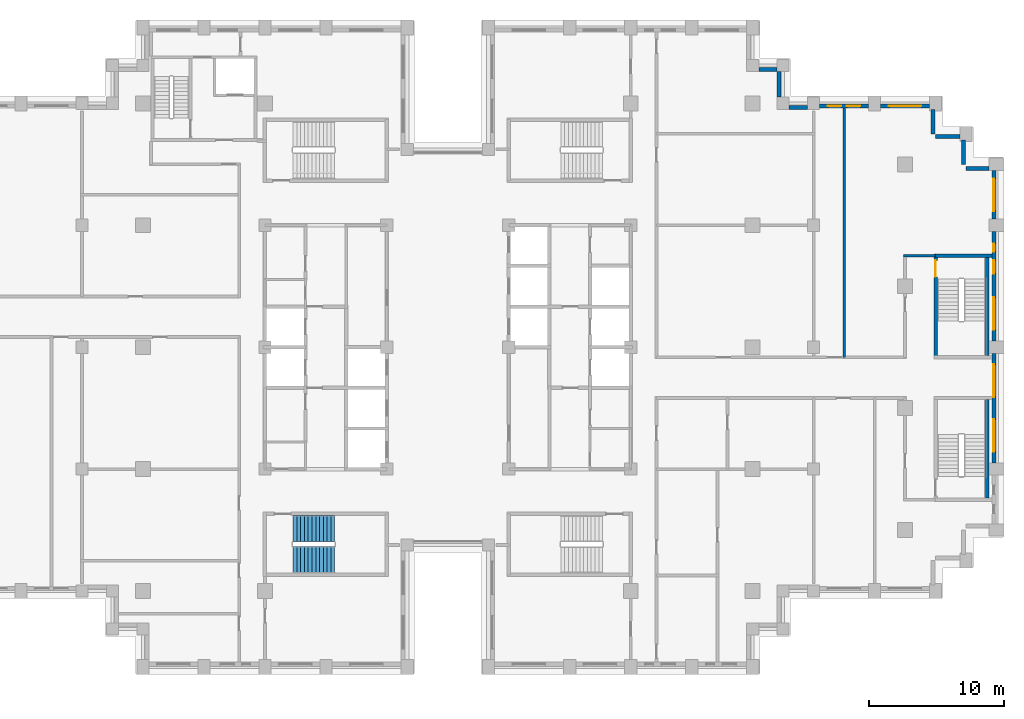
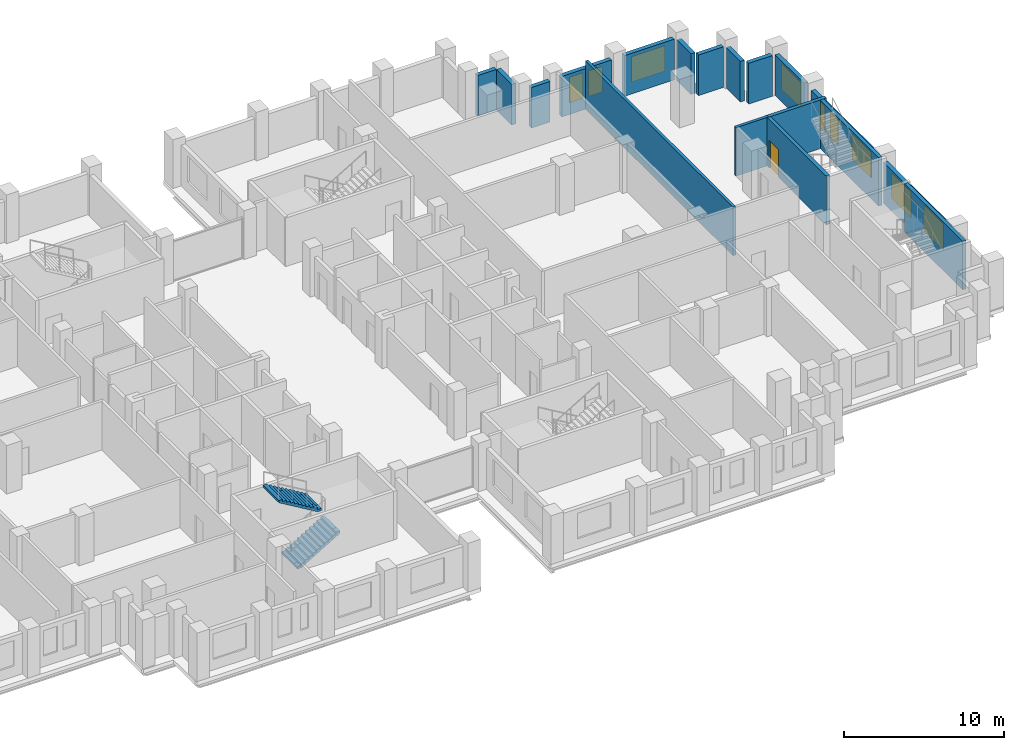
# One storey, part 12 of 15: 18 walls, 9 windows, 2 stair flights, 1 door, 10 openings, 1 element without a shape of its own.
"""IFC4 building model written with IfcOpenShell, lengths in metres."""

import ifcopenshell
import ifcopenshell.guid

model = None  # the IFC model being written
_history = None  # IfcOwnerHistory: only IFC2X3 demands one
_inside = {}  # id of a spatial element -> (the spatial element, [elements in it])
_under = {}  # id of a project, library or spatial element -> (it, [spatial elements below it])
_declared = {}  # id of a project -> (the project, [libraries it declares])
_typed = {}  # id of a type object -> (the type object, [elements of that type])
_made_of = {}  # id of a material, layer set ... -> (it, [elements and type objects made of it])


def new_model(schema):
    """Start an empty IFC model of exactly this schema.

    Asked for "IFC4X3", IfcOpenShell would pick the latest addendum, in which some entities
    have other attributes; the version numbers below select the first issue.
    IFC2X3 requires an IfcOwnerHistory on every rooted entity: one is made here for all.
    """
    global model, _history
    if schema == "IFC4X3":
        model = ifcopenshell.file(schema_version=(4, 3, 0, 0))
    else:
        model = ifcopenshell.file(schema=schema)
    _inside.clear()
    _under.clear()
    _declared.clear()
    _typed.clear()
    _made_of.clear()
    _history = None
    if model.schema == "IFC2X3":
        org = make("IfcOrganization", Name="unknown")
        user = make(
            "IfcPersonAndOrganization",
            ThePerson=make("IfcPerson", FamilyName="unknown"),
            TheOrganization=org,
        )
        app = make(
            "IfcApplication",
            ApplicationDeveloper=org,
            Version="unknown",
            ApplicationFullName="unknown",
            ApplicationIdentifier="unknown",
        )
        _history = make(
            "IfcOwnerHistory",
            OwningUser=user,
            OwningApplication=app,
            ChangeAction="ADDED",
            CreationDate=0,
        )
    return model


def make(cls, **values):
    """One entity of the class cls with the attributes given. An attribute that is None is left unset."""
    return model.create_entity(
        cls, **{name: value for name, value in values.items() if value is not None}
    )


def rooted(cls, **values):
    """An entity with a GlobalId (a new one), such as an element, a storey or a relation."""
    return make(cls, GlobalId=ifcopenshell.guid.new(), OwnerHistory=_history, **values)


def si_unit(unit_type, name, prefix=None):
    """IfcSIUnit, for example si_unit("LENGTHUNIT", "METRE", prefix="MILLI")."""
    return make("IfcSIUnit", UnitType=unit_type, Prefix=prefix, Name=name)


def assignment(units):
    """IfcUnitAssignment: the units of a project."""
    return None if units is None else make("IfcUnitAssignment", Units=units)


def point(xyz):
    """IfcCartesianPoint."""
    return None if xyz is None else make("IfcCartesianPoint", Coordinates=xyz)


def direction(xyz):
    """IfcDirection."""
    return None if xyz is None else make("IfcDirection", DirectionRatios=xyz)


def frame(location, z_axis=None, x_axis=None):
    """IfcAxis2Placement3D, a coordinate frame: its origin and axes. An axis left out is left unset."""
    return make(
        "IfcAxis2Placement3D",
        Location=point(location),
        Axis=direction(z_axis),
        RefDirection=direction(x_axis),
    )


def frame_2d(location, x_axis=None):
    """IfcAxis2Placement2D, a coordinate frame in the plane: its origin and x axis."""
    return make(
        "IfcAxis2Placement2D", Location=point(location), RefDirection=direction(x_axis)
    )


def origin():
    """The frame at (0, 0, 0) with its axes left unset."""
    return frame((0.0, 0.0, 0.0))


def place(relative_to, where):
    """IfcLocalPlacement: puts the frame where relative to a parent placement (None: the world)."""
    return make(
        "IfcLocalPlacement", PlacementRelTo=relative_to, RelativePlacement=where
    )


def context(
    kind, dimensions, precision=None, world=None, true_north=None, identifier=None
):
    """IfcGeometricRepresentationContext, for example the 3D "Model" context."""
    return make(
        "IfcGeometricRepresentationContext",
        ContextIdentifier=identifier,
        ContextType=kind,
        CoordinateSpaceDimension=dimensions,
        Precision=precision,
        WorldCoordinateSystem=world,
        TrueNorth=true_north,
    )


def subcontext(parent, identifier, kind, view, scale=None):
    """IfcGeometricRepresentationSubContext, for example "Body" below "Model"."""
    return make(
        "IfcGeometricRepresentationSubContext",
        ContextIdentifier=identifier,
        ContextType=kind,
        ParentContext=parent,
        TargetScale=scale,
        TargetView=view,
    )


def project(units=None, contexts=None):
    """IfcProject with its units and contexts."""
    return rooted(
        "IfcProject",
        Name="project",
        RepresentationContexts=contexts,
        UnitsInContext=assignment(units),
    )


def spatial(cls, under=None, at=None, **own):
    """A site, building, storey or space (cls), placed at a placement, below another one or the project."""
    s = rooted(cls, ObjectPlacement=at, **own)
    if under is not None:
        _under.setdefault(under.id(), (under, []))[1].append(s)
    return s


def polyline(points):
    """IfcPolyline through the points."""
    return make("IfcPolyline", Points=[point(p) for p in points])


def profile(cls, at=None, kind="AREA", **sizes):
    """A parametric profile (cls). Its sizes go by their IFC names, for example OverallWidth=200.0."""
    return make(cls, ProfileType=kind, Position=at, **sizes)


def rectangle(**sizes):
    """IfcRectangleProfileDef."""
    return profile("IfcRectangleProfileDef", **sizes)


def outline(outer, holes=None, kind="AREA"):
    """IfcArbitraryClosedProfileDef: a profile drawn as a closed curve; with holes, ...WithVoids."""
    if holes is None:
        return make("IfcArbitraryClosedProfileDef", ProfileType=kind, OuterCurve=outer)
    return make(
        "IfcArbitraryProfileDefWithVoids",
        ProfileType=kind,
        OuterCurve=outer,
        InnerCurves=holes,
    )


def extrude(swept, where, along, depth):
    """IfcExtrudedAreaSolid: the profile swept, set in the frame where, extruded along a direction by depth."""
    return make(
        "IfcExtrudedAreaSolid",
        SweptArea=swept,
        Position=where,
        ExtrudedDirection=direction(along),
        Depth=depth,
    )


def shape(context_of_items, identifier, shape_type, items):
    """IfcShapeRepresentation: the items that make up one representation, for example the "Body"."""
    return make(
        "IfcShapeRepresentation",
        ContextOfItems=context_of_items,
        RepresentationIdentifier=identifier,
        RepresentationType=shape_type,
        Items=items,
    )


def material(Name=None, Category=None):
    """IfcMaterial."""
    return make("IfcMaterial", Name=Name, Category=Category)


def layer(
    of_material, thickness, ventilated=None, Name=None, Category=None, Priority=None
):
    """IfcMaterialLayer: one layer of a wall or slab, of a material (None: an air gap)."""
    return make(
        "IfcMaterialLayer",
        Material=of_material,
        LayerThickness=thickness,
        IsVentilated=ventilated,
        Name=Name,
        Category=Category,
        Priority=Priority,
    )


def layer_set(layers, Name=None):
    """IfcMaterialLayerSet."""
    return make("IfcMaterialLayerSet", MaterialLayers=layers, LayerSetName=Name)


def made_of(thing, what):
    """Note that an element or type object is made of a material, layer set ...; save() writes the relation."""
    if what is not None:
        _made_of.setdefault(what.id(), (what, []))[1].append(thing)
    return thing


def type_object(cls, material=None, **own):
    """A type object (cls), such as IfcWallType, which elements share."""
    return made_of(rooted(cls, **own), material)


def element(
    cls,
    number,
    at=None,
    inside=None,
    cuts=None,
    type_object=None,
    material=None,
    context=None,
    identifier="Body",
    shape_type=None,
    held_by="IfcProductDefinitionShape",
    body=None,
    shapes=None,
    **own,
):
    """One element of the class cls, such as IfcWall. Its Tag is "e" and its number.

    at: its placement. inside: the storey or other place that contains it. cuts: it is an
    opening in that element (IfcRelVoidsElement). A single representation is given by context,
    identifier, shape_type and body (its items); several are given by shapes. held_by: the class
    of the entity that holds the representations. save() writes the other relations.
    """
    e = rooted(cls, Tag="e%d" % number, ObjectPlacement=at, **own)
    if body is not None:
        shapes = [shape(context, identifier, shape_type, body)]
    if shapes is not None:
        e.Representation = make(held_by, Representations=shapes)
    if inside is not None:
        _inside.setdefault(inside.id(), (inside, []))[1].append(e)
    if cuts is not None:
        rooted(
            "IfcRelVoidsElement", RelatingBuildingElement=cuts, RelatedOpeningElement=e
        )
    if type_object is not None:
        _typed.setdefault(type_object.id(), (type_object, []))[1].append(e)
    return made_of(e, material)


def fill(opening, filler):
    """IfcRelFillsElement: the door or window that sits in an opening."""
    return rooted(
        "IfcRelFillsElement",
        RelatingOpeningElement=opening,
        RelatedBuildingElement=filler,
    )


def aggregate(whole, parts):
    """IfcRelAggregates: a whole, such as a stair, and the parts it consists of."""
    return rooted("IfcRelAggregates", RelatingObject=whole, RelatedObjects=parts)


def save(model, path):
    """Write the relations noted so far, then the file.

    IfcRelAggregates (storeys below a building ...), IfcRelContainedInSpatialStructure (elements
    in a storey), IfcRelDefinesByType, IfcRelAssociatesMaterial and IfcRelDeclares: one each for
    every whole, place, type object, material and project.
    """
    for whole, parts in _under.values():
        aggregate(whole, parts)
    for where, things in _inside.values():
        rooted(
            "IfcRelContainedInSpatialStructure",
            RelatedElements=things,
            RelatingStructure=where,
        )
    for kind, things in _typed.values():
        rooted("IfcRelDefinesByType", RelatedObjects=things, RelatingType=kind)
    for what, things in _made_of.values():
        rooted("IfcRelAssociatesMaterial", RelatedObjects=things, RelatingMaterial=what)
    for by, libraries in _declared.values():
        rooted("IfcRelDeclares", RelatingContext=by, RelatedDefinitions=libraries)
    model.write(path)


model = new_model("IFC4")

# Units and contexts
model_context = context("Model", 3, precision=1e-05, world=origin(), true_north=direction((0.0, 1.0)))
body_context = subcontext(model_context, "Body", "Model", "MODEL_VIEW")
ifc_project = project(units=[si_unit("LENGTHUNIT", "METRE"), si_unit("AREAUNIT", "SQUARE_METRE"), si_unit("VOLUMEUNIT", "CUBIC_METRE"), si_unit("PLANEANGLEUNIT", "RADIAN"), si_unit("MASSUNIT", "GRAM", prefix="KILO")], contexts=[model_context])

# Site, building, storey
site_placement = place(None, origin())
site = spatial("IfcSite", under=ifc_project, at=site_placement, CompositionType="ELEMENT")
building_placement = place(site_placement, origin())
building = spatial("IfcBuilding", under=site, at=building_placement, Name="Corbelhall Arena Tower", CompositionType="ELEMENT")
storey_placement = place(building_placement, frame((0.0, 0.0, 146.0)))
storey = spatial("IfcBuildingStorey", under=building, at=storey_placement, Name="L28", CompositionType="ELEMENT", Elevation=146.0)

# Walls
ifc_material_1 = material(Name="Precast concrete C40/50 with granite facing", Category="masonry")
ifc_layer_1 = layer(ifc_material_1, 0.300048828125)
ifc_layer_set_1 = layer_set([ifc_layer_1], Name="EV-IW1 Infill panel 300")
wall_type_1 = type_object("IfcWallType", Name="EV-IW1 Infill panel 300", PredefinedType="SOLIDWALL", material=ifc_layer_set_1)
wall_1_placement = place(storey_placement, frame((39.949951171875, 13.199951171875, 0.0), z_axis=(0.0, 0.0, 1.0), x_axis=(-1.0, 0.0, 0.0)))
element("IfcWall", 1, at=wall_1_placement, inside=storey, type_object=wall_type_1, Name="Infill panel IW1", PredefinedType="SOLIDWALL", context=body_context, shape_type="SweptSolid", body=[
    extrude(rectangle(XDim=1.699951171875, YDim=0.300048828125, at=frame_2d((0.85009765625, 0.0))), origin(), (0.0, 0.0, 1.0), 3.10009765625),
])
for number, where, z_axis, x_axis, name in (
    (2, (38.050048828125, 15.300048828125, 0.0), (0.0, 0.0, 1.0), (0.0, -1.0, 0.0), "Infill panel IW1"),
    (3, (37.800048828125, 15.550048828125, 0.0), (0.0, 0.0, 1.0), (-1.0, 0.0, 0.0), "Infill panel IW1"),
    (4, (35.800048828125, 17.550048828125, 0.0), (0.0, 0.0, 1.0), (0.0, -1.0, 0.0), "Infill panel IW1"),
):
    element("IfcWall", number, at=place(storey_placement, frame(where, z_axis=z_axis, x_axis=x_axis)), inside=storey, type_object=wall_type_1, Name=name, PredefinedType="SOLIDWALL", context=body_context, shape_type="SweptSolid", body=[
        extrude(rectangle(XDim=1.800048828125, YDim=0.300048828125, at=frame_2d((0.89990234375, 0.0))), origin(), (0.0, 0.0, 1.0), 3.10009765625),
    ])

# Wall, openings, windows
wall_2_placement = place(storey_placement, frame((40.300048828125, -8.550048828125, 0.0), z_axis=(0.0, 0.0, 1.0), x_axis=(0.0, 1.0, 0.0)))
wall_2 = element("IfcWall", 5, at=wall_2_placement, inside=storey, type_object=wall_type_1, Name="Infill panel IW1", PredefinedType="SOLIDWALL", context=body_context, shape_type="SweptSolid", body=[
    extrude(rectangle(XDim=8.10009765625, YDim=0.300048828125, at=frame_2d((4.050048828125, 0.0))), origin(), (0.0, 0.0, 1.0), 3.10009765625),
])
opening_1_placement = place(wall_2_placement, frame((0.824951171875, 0.0, 0.800048828125)))
opening_1 = element("IfcOpeningElement", 6, at=opening_1_placement, cuts=wall_2, Name="Opening WN1", PredefinedType="OPENING", context=body_context, shape_type="SweptSolid", body=[
    extrude(rectangle(XDim=2.39990234375, YDim=1.949951171875, at=frame_2d((1.199951171875, 0.97509765625))), frame((0.0, 0.14990234375, 0.0), z_axis=(0.0, -1.0, 0.0), x_axis=(1.0, 0.0, 0.0)), (0.0, 0.0, 1.0), 0.300048828125),
])
opening_2_placement = place(wall_2_placement, frame((4.875, 0.0, 0.800048828125)))
opening_2 = element("IfcOpeningElement", 7, at=opening_2_placement, cuts=wall_2, Name="Opening WN1", PredefinedType="OPENING", context=body_context, shape_type="SweptSolid", body=[
    extrude(rectangle(XDim=2.39990234375, YDim=1.949951171875, at=frame_2d((1.199951171875, 0.97509765625))), frame((0.0, 0.14990234375, 0.0), z_axis=(0.0, -1.0, 0.0), x_axis=(1.0, 0.0, 0.0)), (0.0, 0.0, 1.0), 0.300048828125),
])
ifc_material_2 = material(Name="Aluminium black anodised", Category="aluminium")
window_type_1 = type_object("IfcWindowType", Name="EV-WN1 Office window", PartitioningType="SINGLE_PANEL", PredefinedType="WINDOW", material=ifc_material_2)
window_1_placement = place(opening_1_placement, origin())
window_1 = element("IfcWindow", 8, at=window_1_placement, inside=storey, type_object=window_type_1, Name="Window WN1", OverallHeight=1.949951171875, OverallWidth=2.39990234375, PartitioningType="SINGLE_PANEL", PredefinedType="WINDOW", context=body_context, shape_type="SweptSolid", body=[
    extrude(rectangle(XDim=2.39990234375, YDim=1.949951171875, at=frame_2d((1.199951171875, 0.97509765625))), frame((0.0, 0.030029296875, 0.0), z_axis=(0.0, -1.0, 0.0), x_axis=(1.0, 0.0, 0.0)), (0.0, 0.0, 1.0), 0.06005859375),
])
fill(opening_1, window_1)
window_2_placement = place(opening_2_placement, origin())
window_2 = element("IfcWindow", 9, at=window_2_placement, inside=storey, type_object=window_type_1, Name="Window WN1", OverallHeight=1.949951171875, OverallWidth=2.39990234375, PartitioningType="SINGLE_PANEL", PredefinedType="WINDOW", context=body_context, shape_type="SweptSolid", body=[
    extrude(rectangle(XDim=2.39990234375, YDim=1.949951171875, at=frame_2d((1.199951171875, 0.97509765625))), frame((0.0, 0.030029296875, 0.0), z_axis=(0.0, -1.0, 0.0), x_axis=(1.0, 0.0, 0.0)), (0.0, 0.0, 1.0), 0.06005859375),
])
fill(opening_2, window_2)

wall_3_placement = place(storey_placement, frame((40.300048828125, 0.449951171875, 0.0), z_axis=(0.0, 0.0, 1.0), x_axis=(0.0, 1.0, 0.0)))
wall_3 = element("IfcWall", 10, at=wall_3_placement, inside=storey, type_object=wall_type_1, Name="Infill panel IW1", PredefinedType="SOLIDWALL", context=body_context, shape_type="SweptSolid", body=[
    extrude(rectangle(XDim=8.10009765625, YDim=0.300048828125, at=frame_2d((4.050048828125, 0.0))), origin(), (0.0, 0.0, 1.0), 3.10009765625),
])
opening_3_placement = place(wall_3_placement, frame((0.824951171875, 0.0, 0.800048828125)))
opening_3 = element("IfcOpeningElement", 11, at=opening_3_placement, cuts=wall_3, Name="Opening WN1", PredefinedType="OPENING", context=body_context, shape_type="SweptSolid", body=[
    extrude(rectangle(XDim=2.39990234375, YDim=1.949951171875, at=frame_2d((1.199951171875, 0.97509765625))), frame((0.0, 0.14990234375, 0.0), z_axis=(0.0, -1.0, 0.0), x_axis=(1.0, 0.0, 0.0)), (0.0, 0.0, 1.0), 0.300048828125),
])
opening_4_placement = place(wall_3_placement, frame((4.97509765625, 0.0, 0.800048828125)))
opening_4 = element("IfcOpeningElement", 12, at=opening_4_placement, cuts=wall_3, Name="Opening WN6", PredefinedType="OPENING", context=body_context, shape_type="SweptSolid", body=[
    extrude(rectangle(XDim=1.0, YDim=1.949951171875, at=frame_2d((0.5, 0.97509765625))), frame((0.0, 0.14990234375, 0.0), z_axis=(0.0, -1.0, 0.0), x_axis=(1.0, 0.0, 0.0)), (0.0, 0.0, 1.0), 0.300048828125),
])
opening_5_placement = place(wall_3_placement, frame((6.60009765625, 0.0, 0.800048828125)))
opening_5 = element("IfcOpeningElement", 13, at=opening_5_placement, cuts=wall_3, Name="Opening WN5", PredefinedType="OPENING", context=body_context, shape_type="SweptSolid", body=[
    extrude(rectangle(XDim=0.60009765625, YDim=1.949951171875, at=frame_2d((0.300048828125, 0.97509765625))), frame((0.0, 0.14990234375, 0.0), z_axis=(0.0, -1.0, 0.0), x_axis=(1.0, 0.0, 0.0)), (0.0, 0.0, 1.0), 0.300048828125),
])
window_3_placement = place(opening_3_placement, origin())
window_3 = element("IfcWindow", 14, at=window_3_placement, inside=storey, type_object=window_type_1, Name="Window WN1", OverallHeight=1.949951171875, OverallWidth=2.39990234375, PartitioningType="SINGLE_PANEL", PredefinedType="WINDOW", context=body_context, shape_type="SweptSolid", body=[
    extrude(rectangle(XDim=2.39990234375, YDim=1.949951171875, at=frame_2d((1.199951171875, 0.97509765625))), frame((0.0, 0.030029296875, 0.0), z_axis=(0.0, -1.0, 0.0), x_axis=(1.0, 0.0, 0.0)), (0.0, 0.0, 1.0), 0.06005859375),
])
fill(opening_3, window_3)
window_type_2 = type_object("IfcWindowType", Name="EV-WN5 Office window 600", PartitioningType="SINGLE_PANEL", PredefinedType="WINDOW", material=ifc_material_2)
window_4_placement = place(opening_5_placement, origin())
window_4 = element("IfcWindow", 15, at=window_4_placement, inside=storey, type_object=window_type_2, Name="Window WN5", OverallHeight=1.949951171875, OverallWidth=0.60009765625, PartitioningType="SINGLE_PANEL", PredefinedType="WINDOW", context=body_context, shape_type="SweptSolid", body=[
    extrude(rectangle(XDim=0.60009765625, YDim=1.949951171875, at=frame_2d((0.300048828125, 0.97509765625))), frame((0.0, 0.030029296875, 0.0), z_axis=(0.0, -1.0, 0.0), x_axis=(1.0, 0.0, 0.0)), (0.0, 0.0, 1.0), 0.06005859375),
])
fill(opening_5, window_4)
window_type_3 = type_object("IfcWindowType", Name="EV-WN6 Office window 1000", PartitioningType="SINGLE_PANEL", PredefinedType="WINDOW", material=ifc_material_2)
window_5_placement = place(opening_4_placement, origin())
window_5 = element("IfcWindow", 16, at=window_5_placement, inside=storey, type_object=window_type_3, Name="Window WN6", OverallHeight=1.949951171875, OverallWidth=1.0, PartitioningType="SINGLE_PANEL", PredefinedType="WINDOW", context=body_context, shape_type="SweptSolid", body=[
    extrude(rectangle(XDim=1.0, YDim=1.949951171875, at=frame_2d((0.5, 0.97509765625))), frame((0.0, 0.030029296875, 0.0), z_axis=(0.0, -1.0, 0.0), x_axis=(1.0, 0.0, 0.0)), (0.0, 0.0, 1.0), 0.06005859375),
])
fill(opening_4, window_5)

# Wall, opening, window
wall_4_placement = place(storey_placement, frame((40.300048828125, 9.449951171875, 0.0), z_axis=(0.0, 0.0, 1.0), x_axis=(0.0, 1.0, 0.0)))
wall_4 = element("IfcWall", 17, at=wall_4_placement, inside=storey, type_object=wall_type_1, Name="Infill panel IW1", PredefinedType="SOLIDWALL", context=body_context, shape_type="SweptSolid", body=[
    extrude(rectangle(XDim=3.60009765625, YDim=0.300048828125, at=frame_2d((1.800048828125, 0.0))), origin(), (0.0, 0.0, 1.0), 3.10009765625),
])
opening_6_placement = place(wall_4_placement, frame((0.60009765625, 0.0, 0.800048828125)))
opening_6 = element("IfcOpeningElement", 18, at=opening_6_placement, cuts=wall_4, Name="Opening WN1", PredefinedType="OPENING", context=body_context, shape_type="SweptSolid", body=[
    extrude(rectangle(XDim=2.39990234375, YDim=1.949951171875, at=frame_2d((1.199951171875, 0.97509765625))), frame((0.0, 0.14990234375, 0.0), z_axis=(0.0, -1.0, 0.0), x_axis=(1.0, 0.0, 0.0)), (0.0, 0.0, 1.0), 0.300048828125),
])
window_6_placement = place(opening_6_placement, origin())
window_6 = element("IfcWindow", 19, at=window_6_placement, inside=storey, type_object=window_type_1, Name="Window WN1", OverallHeight=1.949951171875, OverallWidth=2.39990234375, PartitioningType="SINGLE_PANEL", PredefinedType="WINDOW", context=body_context, shape_type="SweptSolid", body=[
    extrude(rectangle(XDim=2.39990234375, YDim=1.949951171875, at=frame_2d((1.199951171875, 0.97509765625))), frame((0.0, 0.030029296875, 0.0), z_axis=(0.0, -1.0, 0.0), x_axis=(1.0, 0.0, 0.0)), (0.0, 0.0, 1.0), 0.06005859375),
])
fill(opening_6, window_6)

wall_5_placement = place(storey_placement, frame((35.550048828125, 17.800048828125, 0.0), z_axis=(0.0, 0.0, 1.0), x_axis=(-1.0, 0.0, 0.0)))
wall_5 = element("IfcWall", 20, at=wall_5_placement, inside=storey, type_object=wall_type_1, Name="Infill panel IW1", PredefinedType="SOLIDWALL", context=body_context, shape_type="SweptSolid", body=[
    extrude(rectangle(XDim=3.60009765625, YDim=0.300048828125, at=frame_2d((1.800048828125, 0.0))), origin(), (0.0, 0.0, 1.0), 3.10009765625),
])
opening_7_placement = place(wall_5_placement, frame((0.60009765625, 0.0, 0.800048828125)))
opening_7 = element("IfcOpeningElement", 21, at=opening_7_placement, cuts=wall_5, Name="Opening WN1", PredefinedType="OPENING", context=body_context, shape_type="SweptSolid", body=[
    extrude(rectangle(XDim=2.39990234375, YDim=1.949951171875, at=frame_2d((1.199951171875, 0.97509765625))), frame((0.0, 0.14990234375, 0.0), z_axis=(0.0, -1.0, 0.0), x_axis=(1.0, 0.0, 0.0)), (0.0, 0.0, 1.0), 0.300048828125),
])
window_7_placement = place(opening_7_placement, origin())
window_7 = element("IfcWindow", 22, at=window_7_placement, inside=storey, type_object=window_type_1, Name="Window WN1", OverallHeight=1.949951171875, OverallWidth=2.39990234375, PartitioningType="SINGLE_PANEL", PredefinedType="WINDOW", context=body_context, shape_type="SweptSolid", body=[
    extrude(rectangle(XDim=2.39990234375, YDim=1.949951171875, at=frame_2d((1.199951171875, 0.97509765625))), frame((0.0, 0.030029296875, 0.0), z_axis=(0.0, -1.0, 0.0), x_axis=(1.0, 0.0, 0.0)), (0.0, 0.0, 1.0), 0.06005859375),
])
fill(opening_7, window_7)

# Wall, openings, windows
wall_6_placement = place(storey_placement, frame((31.050048828125, 17.800048828125, 0.0), z_axis=(0.0, 0.0, 1.0), x_axis=(-1.0, 0.0, 0.0)))
wall_6 = element("IfcWall", 23, at=wall_6_placement, inside=storey, type_object=wall_type_1, Name="Infill panel IW1", PredefinedType="SOLIDWALL", context=body_context, shape_type="SweptSolid", body=[
    extrude(rectangle(XDim=3.60009765625, YDim=0.300048828125, at=frame_2d((1.800048828125, 0.0))), origin(), (0.0, 0.0, 1.0), 3.10009765625),
])
opening_8_placement = place(wall_6_placement, frame((0.60009765625, 0.0, 0.800048828125)))
opening_8 = element("IfcOpeningElement", 24, at=opening_8_placement, cuts=wall_6, Name="Opening WN6", PredefinedType="OPENING", context=body_context, shape_type="SweptSolid", body=[
    extrude(rectangle(XDim=1.0, YDim=1.949951171875, at=frame_2d((0.5, 0.97509765625))), frame((0.0, 0.14990234375, 0.0), z_axis=(0.0, -1.0, 0.0), x_axis=(1.0, 0.0, 0.0)), (0.0, 0.0, 1.0), 0.300048828125),
])
opening_9_placement = place(wall_6_placement, frame((2.0, 0.0, 0.800048828125)))
opening_9 = element("IfcOpeningElement", 25, at=opening_9_placement, cuts=wall_6, Name="Opening WN6", PredefinedType="OPENING", context=body_context, shape_type="SweptSolid", body=[
    extrude(rectangle(XDim=1.0, YDim=1.949951171875, at=frame_2d((0.5, 0.97509765625))), frame((0.0, 0.14990234375, 0.0), z_axis=(0.0, -1.0, 0.0), x_axis=(1.0, 0.0, 0.0)), (0.0, 0.0, 1.0), 0.300048828125),
])
window_8_placement = place(opening_8_placement, origin())
window_8 = element("IfcWindow", 26, at=window_8_placement, inside=storey, type_object=window_type_3, Name="Window WN6", OverallHeight=1.949951171875, OverallWidth=1.0, PartitioningType="SINGLE_PANEL", PredefinedType="WINDOW", context=body_context, shape_type="SweptSolid", body=[
    extrude(rectangle(XDim=1.0, YDim=1.949951171875, at=frame_2d((0.5, 0.97509765625))), frame((0.0, 0.030029296875, 0.0), z_axis=(0.0, -1.0, 0.0), x_axis=(1.0, 0.0, 0.0)), (0.0, 0.0, 1.0), 0.06005859375),
])
fill(opening_8, window_8)
window_9_placement = place(opening_9_placement, origin())
window_9 = element("IfcWindow", 27, at=window_9_placement, inside=storey, type_object=window_type_3, Name="Window WN6", OverallHeight=1.949951171875, OverallWidth=1.0, PartitioningType="SINGLE_PANEL", PredefinedType="WINDOW", context=body_context, shape_type="SweptSolid", body=[
    extrude(rectangle(XDim=1.0, YDim=1.949951171875, at=frame_2d((0.5, 0.97509765625))), frame((0.0, 0.030029296875, 0.0), z_axis=(0.0, -1.0, 0.0), x_axis=(1.0, 0.0, 0.0)), (0.0, 0.0, 1.0), 0.06005859375),
])
fill(opening_9, window_9)

# Walls
wall_7_placement = place(storey_placement, frame((26.550048828125, 17.699951171875, 0.0), z_axis=(0.0, 0.0, 1.0), x_axis=(-1.0, 0.0, 0.0)))
element("IfcWall", 28, at=wall_7_placement, inside=storey, type_object=wall_type_1, Name="Infill panel IW1", PredefinedType="SOLIDWALL", context=body_context, shape_type="SweptSolid", body=[
    extrude(rectangle(XDim=1.35009765625, YDim=0.300048828125, at=frame_2d((0.675048828125, 0.0))), origin(), (0.0, 0.0, 1.0), 3.10009765625),
])
wall_8_placement = place(storey_placement, frame((24.449951171875, 18.449951171875, 0.0), z_axis=(0.0, 0.0, 1.0), x_axis=(0.0, 1.0, 0.0)))
element("IfcWall", 29, at=wall_8_placement, inside=storey, type_object=wall_type_1, Name="Infill panel IW1", PredefinedType="SOLIDWALL", context=body_context, shape_type="SweptSolid", body=[
    extrude(rectangle(XDim=1.900146484375, YDim=0.300048828125, at=frame_2d((0.9501953125, 0.0))), origin(), (0.0, 0.0, 1.0), 3.10009765625),
])
wall_9_placement = place(storey_placement, frame((24.300048828125, 20.5, 0.0), z_axis=(0.0, 0.0, 1.0), x_axis=(-1.0, 0.0, 0.0)))
element("IfcWall", 30, at=wall_9_placement, inside=storey, type_object=wall_type_1, Name="Infill panel IW1", PredefinedType="SOLIDWALL", context=body_context, shape_type="SweptSolid", body=[
    extrude(rectangle(XDim=1.35009765625, YDim=0.300048828125, at=frame_2d((0.675048828125, 0.0))), origin(), (0.0, 0.0, 1.0), 3.10009765625),
])
ifc_material_3 = material(Name="Gypsum board on steel stud, acoustic", Category="steel")
ifc_layer_2 = layer(ifc_material_3, 0.199951171875)
ifc_layer_set_2 = layer_set([ifc_layer_2], Name="IN-W-DM200")
wall_type_2 = type_object("IfcWallType", Name="IN-W-DM200", PredefinedType="PARTITIONING", material=ifc_layer_set_2)
wall_10_placement = place(storey_placement, frame((29.25, 17.64990234375, 0.0), z_axis=(0.0, 0.0, 1.0), x_axis=(0.0, -1.0, 0.0)))
element("IfcWall", 31, at=wall_10_placement, inside=storey, type_object=wall_type_2, Name="Partition 040", PredefinedType="PARTITIONING", context=body_context, shape_type="SweptSolid", body=[
    extrude(rectangle(XDim=18.39990234375, YDim=0.199951171875, at=frame_2d((9.199951171875, 0.0))), origin(), (0.0, 0.0, 1.0), 3.699951171875),
])
wall_11_placement = place(storey_placement, frame((33.64990234375, 6.75, 0.0), z_axis=(0.0, 0.0, 1.0), x_axis=(1.0, 0.0, 0.0)))
element("IfcWall", 32, at=wall_11_placement, inside=storey, type_object=wall_type_2, Name="Partition 042", PredefinedType="PARTITIONING", context=body_context, shape_type="SweptSolid", body=[
    extrude(rectangle(XDim=2.35009765625, YDim=0.199951171875, at=frame_2d((1.175048828125, 0.0))), origin(), (0.0, 0.0, 1.0), 3.699951171875),
])

# Wall, opening, door
ifc_material_4 = material(Name="Concrete C40/50", Category="concrete")
ifc_layer_3 = layer(ifc_material_4, 0.25)
ifc_layer_set_3 = layer_set([ifc_layer_3], Name="IN-W-ST250")
wall_type_3 = type_object("IfcWallType", Name="IN-W-ST250", PredefinedType="SOLIDWALL", material=ifc_layer_set_3)
wall_12_placement = place(storey_placement, frame((36.0, -0.75, 0.0), z_axis=(0.0, 0.0, 1.0), x_axis=(0.0, 1.0, 0.0)))
wall_12 = element("IfcWall", 33, at=wall_12_placement, inside=storey, type_object=wall_type_3, Name="Shaft wall 107", PredefinedType="SOLIDWALL", context=body_context, shape_type="SweptSolid", body=[
    extrude(rectangle(XDim=7.625, YDim=0.25, at=frame_2d((3.8125, 0.0))), origin(), (0.0, 0.0, 1.0), 3.699951171875),
])
opening_10_placement = place(wall_12_placement, frame((5.949951171875, 0.0, 0.0)))
opening_10 = element("IfcOpeningElement", 34, at=opening_10_placement, cuts=wall_12, Name="Opening 07021", PredefinedType="OPENING", context=body_context, shape_type="SweptSolid", body=[
    extrude(rectangle(XDim=1.199951171875, YDim=2.10009765625, at=frame_2d((0.60009765625, 1.050048828125))), frame((0.0, 0.125, 0.0), z_axis=(0.0, -1.0, 0.0), x_axis=(1.0, 0.0, 0.0)), (0.0, 0.0, 1.0), 0.25),
])
ifc_material_5 = material(Name="Steel door set", Category="steel")
door_type = type_object("IfcDoorType", Name="IN-D-ST120", OperationType="NOTDEFINED", PredefinedType="DOOR", material=ifc_material_5)
door_placement = place(opening_10_placement, origin())
door = element("IfcDoor", 35, at=door_placement, inside=storey, type_object=door_type, Name="Door 021", OperationType="SINGLE_SWING_RIGHT", OverallHeight=2.10009765625, OverallWidth=1.199951171875, PredefinedType="DOOR", context=body_context, shape_type="SweptSolid", body=[
    extrude(rectangle(XDim=1.199951171875, YDim=2.10009765625, at=frame_2d((0.60009765625, 1.050048828125))), frame((0.0, 0.02490234375, 0.0), z_axis=(0.0, -1.0, 0.0), x_axis=(1.0, 0.0, 0.0)), (0.0, 0.0, 1.0), 0.050048828125),
])
fill(opening_10, door)

# Walls
wall_13_placement = place(storey_placement, frame((36.0, 6.75, 0.0), z_axis=(0.0, 0.0, 1.0), x_axis=(1.0, 0.0, 0.0)))
element("IfcWall", 36, at=wall_13_placement, inside=storey, type_object=wall_type_3, Name="Shaft wall 108", PredefinedType="SOLIDWALL", context=body_context, shape_type="SweptSolid", body=[
    extrude(rectangle(XDim=4.14990234375, YDim=0.25, at=frame_2d((2.074951171875, 0.0))), origin(), (0.0, 0.0, 1.0), 3.699951171875),
])
for number, where, z_axis, x_axis, name in (
    (37, (39.824951171875, -11.125, 0.0), (0.0, 0.0, 1.0), (0.0, 1.0, 0.0), "Shaft wall SD1 facade side"),
    (38, (39.824951171875, -0.625, 0.0), (0.0, 0.0, 1.0), (0.0, 1.0, 0.0), "Shaft wall SD2 facade side"),
):
    element("IfcWall", number, at=place(storey_placement, frame(where, z_axis=z_axis, x_axis=x_axis)), inside=storey, type_object=wall_type_3, Name=name, PredefinedType="SOLIDWALL", context=body_context, shape_type="SweptSolid", body=[
        extrude(rectangle(XDim=7.25, YDim=0.25, at=frame_2d((3.625, 0.0))), origin(), (0.0, 0.0, 1.0), 3.699951171875),
    ])

# Stair, stair flights
stair_type = type_object("IfcStairType", Name="IN-ST-TOWER", PredefinedType="HALF_TURN_STAIR", material=ifc_material_4)
stair_placement = place(storey_placement, origin())
stair = element("IfcStair", 39, at=stair_placement, inside=storey, type_object=stair_type, Name="L28 Exit stair ST2", PredefinedType="HALF_TURN_STAIR")
stair_flight_type = type_object("IfcStairFlightType", Name="IN-SFL-RC", PredefinedType="STRAIGHT", material=ifc_material_4)
stair_flight_1_placement = place(storey_placement, frame((-11.425048828125, -15.699951171875, 0.0), z_axis=(0.0, 0.0, 1.0), x_axis=(1.0, 0.0, 0.0)))
stair_flight_1 = element("IfcStairFlight", 40, at=stair_flight_1_placement, type_object=stair_flight_type, Name="ST2 flight 1", NumberOfRisers=12, NumberOfTreads=11, PredefinedType="STRAIGHT", RiserHeight=0.166666667, TreadLength=0.28, context=body_context, shape_type="SweptSolid", body=[
    extrude(outline(polyline([(0.0, 0.0), (0.0, 0.166748046875), (0.280029296875, 0.166748046875), (0.280029296875, 0.333251953125), (0.56005859375, 0.333251953125), (0.56005859375, 0.5), (0.840087890625, 0.5), (0.840087890625, 0.666748046875), (1.1201171875, 0.666748046875), (1.1201171875, 0.833251953125), (1.39990234375, 0.833251953125), (1.39990234375, 1.0), (1.679931640625, 1.0), (1.679931640625, 1.166748046875), (1.9599609375, 1.166748046875), (1.9599609375, 1.333251953125), (2.239990234375, 1.333251953125), (2.239990234375, 1.5), (2.52001953125, 1.5), (2.52001953125, 1.666748046875), (2.800048828125, 1.666748046875), (2.800048828125, 1.833251953125), (3.080078125, 1.833251953125), (3.080078125, 2.0), (3.080078125, 1.658935546875), (0.29296875, 0.0), (0.0, 0.0)])), frame((0.0, 0.97509765625, 0.0), z_axis=(0.0, -1.0, 0.0), x_axis=(1.0, 0.0, 0.0)), (0.0, 0.0, 1.0), 0.449951171875),
    extrude(outline(polyline([(0.0, 0.0), (0.0, 0.166748046875), (0.280029296875, 0.166748046875), (0.280029296875, 0.333251953125), (0.56005859375, 0.333251953125), (0.56005859375, 0.5), (0.840087890625, 0.5), (0.840087890625, 0.666748046875), (1.1201171875, 0.666748046875), (1.1201171875, 0.833251953125), (1.39990234375, 0.833251953125), (1.39990234375, 1.0), (1.679931640625, 1.0), (1.679931640625, 1.166748046875), (1.9599609375, 1.166748046875), (1.9599609375, 1.333251953125), (2.239990234375, 1.333251953125), (2.239990234375, 1.5), (2.52001953125, 1.5), (2.52001953125, 1.666748046875), (2.800048828125, 1.666748046875), (2.800048828125, 1.833251953125), (3.080078125, 1.833251953125), (3.080078125, 2.0), (3.080078125, 1.658935546875), (0.29296875, 0.0), (0.0, 0.0)])), frame((0.0, 0.52099609375, 0.0), z_axis=(0.0, -1.0, 0.0), x_axis=(1.0, 0.0, 0.0)), (0.0, 0.0, 1.0), 1.0419921875),
    extrude(outline(polyline([(0.0, 0.0), (0.0, 0.166748046875), (0.280029296875, 0.166748046875), (0.280029296875, 0.333251953125), (0.56005859375, 0.333251953125), (0.56005859375, 0.5), (0.840087890625, 0.5), (0.840087890625, 0.666748046875), (1.1201171875, 0.666748046875), (1.1201171875, 0.833251953125), (1.39990234375, 0.833251953125), (1.39990234375, 1.0), (1.679931640625, 1.0), (1.679931640625, 1.166748046875), (1.9599609375, 1.166748046875), (1.9599609375, 1.333251953125), (2.239990234375, 1.333251953125), (2.239990234375, 1.5), (2.52001953125, 1.5), (2.52001953125, 1.666748046875), (2.800048828125, 1.666748046875), (2.800048828125, 1.833251953125), (3.080078125, 1.833251953125), (3.080078125, 2.0), (3.080078125, 1.658935546875), (0.29296875, 0.0), (0.0, 0.0)])), frame((0.0, -0.52490234375, 0.0), z_axis=(0.0, -1.0, 0.0), x_axis=(1.0, 0.0, 0.0)), (0.0, 0.0, 1.0), 0.449951171875),
])
stair_flight_2_placement = place(storey_placement, frame((-8.344970703125, -13.39990234375, 2.0), z_axis=(0.0, 0.0, 1.0), x_axis=(-1.0, 0.0, 0.0)))
stair_flight_2 = element("IfcStairFlight", 41, at=stair_flight_2_placement, type_object=stair_flight_type, Name="ST2 flight 2", NumberOfRisers=12, NumberOfTreads=11, PredefinedType="STRAIGHT", RiserHeight=0.166666667, TreadLength=0.28, context=body_context, shape_type="SweptSolid", body=[
    extrude(outline(polyline([(0.0, 0.0), (0.0, 0.166748046875), (0.280029296875, 0.166748046875), (0.280029296875, 0.333251953125), (0.56005859375, 0.333251953125), (0.56005859375, 0.5), (0.840087890625, 0.5), (0.840087890625, 0.666748046875), (1.1201171875, 0.666748046875), (1.1201171875, 0.833251953125), (1.39990234375, 0.833251953125), (1.39990234375, 1.0), (1.679931640625, 1.0), (1.679931640625, 1.166748046875), (1.9599609375, 1.166748046875), (1.9599609375, 1.333251953125), (2.239990234375, 1.333251953125), (2.239990234375, 1.5), (2.52001953125, 1.5), (2.52001953125, 1.666748046875), (2.800048828125, 1.666748046875), (2.800048828125, 1.833251953125), (3.080078125, 1.833251953125), (3.080078125, 2.0), (3.080078125, 1.658935546875), (0.29296875, 0.0), (0.0, 0.0)])), frame((0.0, 0.97509765625, 0.0), z_axis=(0.0, -1.0, 0.0), x_axis=(1.0, 0.0, 0.0)), (0.0, 0.0, 1.0), 0.449951171875),
    extrude(outline(polyline([(0.0, 0.0), (0.0, 0.166748046875), (0.280029296875, 0.166748046875), (0.280029296875, 0.333251953125), (0.56005859375, 0.333251953125), (0.56005859375, 0.5), (0.840087890625, 0.5), (0.840087890625, 0.666748046875), (1.1201171875, 0.666748046875), (1.1201171875, 0.833251953125), (1.39990234375, 0.833251953125), (1.39990234375, 1.0), (1.679931640625, 1.0), (1.679931640625, 1.166748046875), (1.9599609375, 1.166748046875), (1.9599609375, 1.333251953125), (2.239990234375, 1.333251953125), (2.239990234375, 1.5), (2.52001953125, 1.5), (2.52001953125, 1.666748046875), (2.800048828125, 1.666748046875), (2.800048828125, 1.833251953125), (3.080078125, 1.833251953125), (3.080078125, 2.0), (3.080078125, 1.658935546875), (0.29296875, 0.0), (0.0, 0.0)])), frame((0.0, 0.52099609375, 0.0), z_axis=(0.0, -1.0, 0.0), x_axis=(1.0, 0.0, 0.0)), (0.0, 0.0, 1.0), 1.0419921875),
    extrude(outline(polyline([(0.0, 0.0), (0.0, 0.166748046875), (0.280029296875, 0.166748046875), (0.280029296875, 0.333251953125), (0.56005859375, 0.333251953125), (0.56005859375, 0.5), (0.840087890625, 0.5), (0.840087890625, 0.666748046875), (1.1201171875, 0.666748046875), (1.1201171875, 0.833251953125), (1.39990234375, 0.833251953125), (1.39990234375, 1.0), (1.679931640625, 1.0), (1.679931640625, 1.166748046875), (1.9599609375, 1.166748046875), (1.9599609375, 1.333251953125), (2.239990234375, 1.333251953125), (2.239990234375, 1.5), (2.52001953125, 1.5), (2.52001953125, 1.666748046875), (2.800048828125, 1.666748046875), (2.800048828125, 1.833251953125), (3.080078125, 1.833251953125), (3.080078125, 2.0), (3.080078125, 1.658935546875), (0.29296875, 0.0), (0.0, 0.0)])), frame((0.0, -0.52490234375, 0.0), z_axis=(0.0, -1.0, 0.0), x_axis=(1.0, 0.0, 0.0)), (0.0, 0.0, 1.0), 0.449951171875),
])
aggregate(stair, [stair_flight_1, stair_flight_2])

save(model, "model.ifc")
